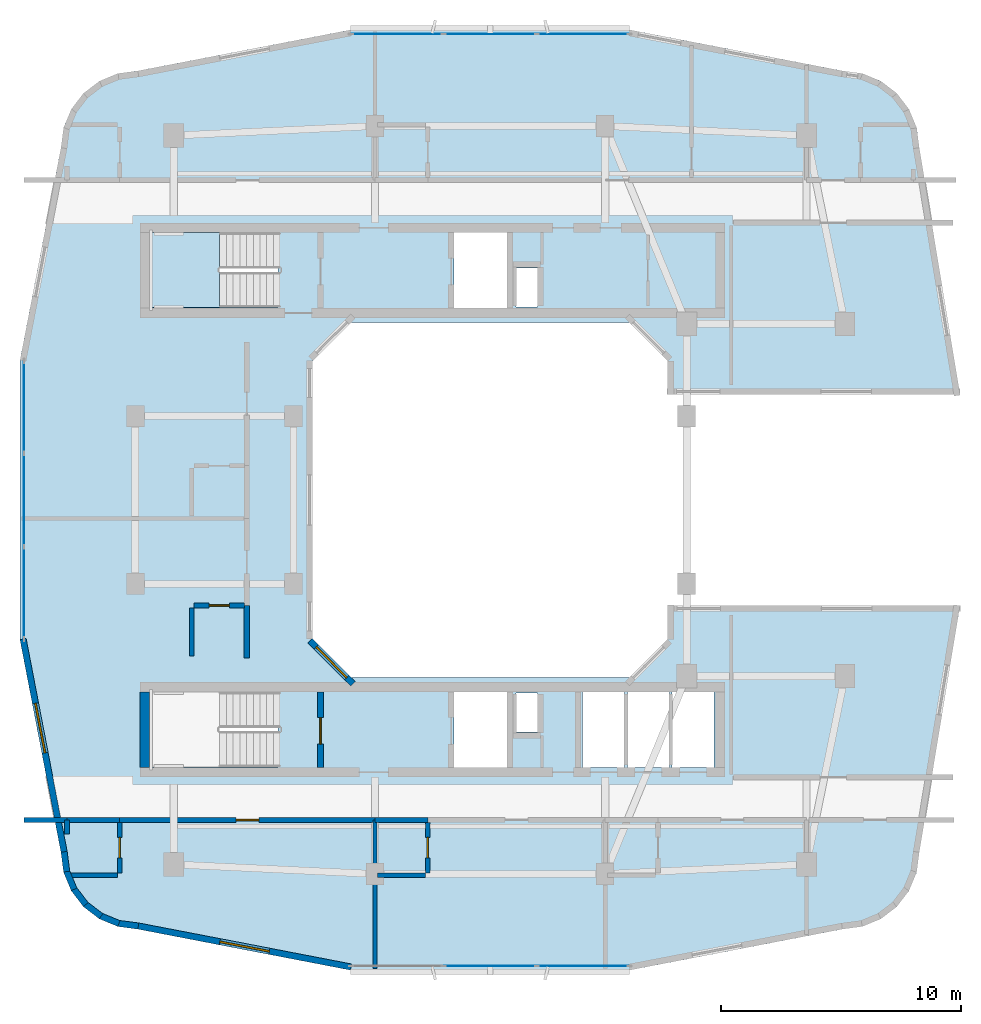
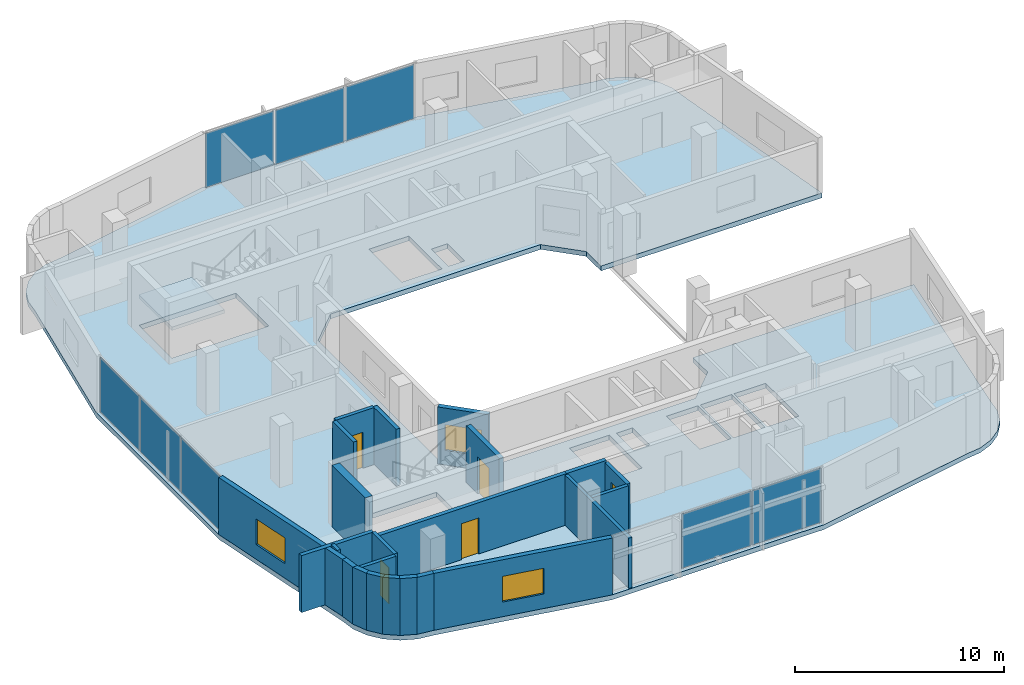
# One storey, part 4 of 12: 24 walls, 8 plates, 5 doors, 3 windows, 2 slabs, 8 openings, 4 elements without a shape of their own.
"""IFC4 building model written with IfcOpenShell, lengths in metres."""

from ifc_helpers import new_model, si_unit, derived_unit, direction, frame, frame_2d, origin, origin_2d, place, context, subcontext, project, spatial, polyline, rectangle, outline, extrude, material, layer, layer_set, type_object, element, fill, aggregate, save


model = new_model("IFC4")

# Units and contexts
model_context = context("Model", 3, precision=1e-05, world=origin(), true_north=direction((0.0, 1.0)))
body_context = subcontext(model_context, "Body", "Model", "MODEL_VIEW")
ifc_project = project(units=[si_unit("LENGTHUNIT", "METRE"), si_unit("AREAUNIT", "SQUARE_METRE"), si_unit("VOLUMEUNIT", "CUBIC_METRE"), si_unit("PLANEANGLEUNIT", "RADIAN"), si_unit("MASSUNIT", "GRAM", prefix="KILO"), derived_unit("THERMALTRANSMITTANCEUNIT", [(si_unit("POWERUNIT", "WATT"), 1), (si_unit("LENGTHUNIT", "METRE"), -2), (si_unit("THERMODYNAMICTEMPERATUREUNIT", "KELVIN"), -1)])], contexts=[model_context])

# Site, building, storey
site_placement = place(None, origin())
site = spatial("IfcSite", under=ifc_project, at=site_placement, CompositionType="ELEMENT")
building_placement = place(site_placement, origin())
building = spatial("IfcBuilding", under=site, at=building_placement, Name="Kivonza Crest Hotel", CompositionType="ELEMENT")
storey_placement = place(building_placement, frame((0.0, 0.0, 181.10009765625)))
storey = spatial("IfcBuildingStorey", under=building, at=storey_placement, Name="L49", CompositionType="ELEMENT", Elevation=181.10009765625)

# Curtain wall, plates
ifc_material_1 = material(Name="Anodised bronze aluminium and low-E double glazing", Category="aluminium")
ifc_layer_1 = layer(ifc_material_1, 0.179931640625)
ifc_layer_set_1 = layer_set([ifc_layer_1], Name="Anodised bronze aluminium and low-E double glazing")
curtain_wall_type = type_object("IfcCurtainWallType", Name="CW-SYS-3", PredefinedType="NOTDEFINED", material=ifc_layer_set_1)
curtain_wall_1_placement = place(storey_placement, origin())
curtain_wall_1 = element("IfcCurtainWall", 1, at=curtain_wall_1_placement, inside=storey, type_object=curtain_wall_type, Name="L49 unitised curtain wall CW-T1-L49-08", PredefinedType="NOTDEFINED")
ifc_material_2 = material(Name="Acoustic triple-laminated low-E glazing", Category="glass")
ifc_layer_2 = layer(ifc_material_2, 0.035888671875)
ifc_layer_set_2 = layer_set([ifc_layer_2], Name="Acoustic triple-laminated low-E glazing")
plate_type = type_object("IfcPlateType", Name="CW-PNL-36", PredefinedType="CURTAIN_PANEL", material=ifc_layer_set_2)
plate_1_placement = place(storey_placement, frame((21.0, 5.56005859375, 0.074951171875), z_axis=(0.0, 0.0, 1.0), x_axis=(1.0, 0.0, 0.0)))
plate_1 = element("IfcPlate", 2, at=plate_1_placement, type_object=plate_type, Name="CW-3 panel 2.1", PredefinedType="CURTAIN_PANEL", context=body_context, shape_type="SweptSolid", body=[
    extrude(rectangle(XDim=3.818359375, YDim=0.035888671875, at=origin_2d()), origin(), (0.0, 0.0, 1.0), 3.169921875),
])
plate_2_placement = place(storey_placement, frame((24.87451171875, 5.56005859375, 0.074951171875), z_axis=(0.0, 0.0, 1.0), x_axis=(1.0, 0.0, 0.0)))
plate_2 = element("IfcPlate", 3, at=plate_2_placement, type_object=plate_type, Name="CW-3 panel 3.1", PredefinedType="CURTAIN_PANEL", context=body_context, shape_type="SweptSolid", body=[
    extrude(rectangle(XDim=3.78076171875, YDim=0.035888671875, at=origin_2d()), origin(), (0.0, 0.0, 1.0), 3.169921875),
])
aggregate(curtain_wall_1, [plate_1, plate_2])

curtain_wall_2_placement = place(storey_placement, origin())
curtain_wall_2 = element("IfcCurtainWall", 4, at=curtain_wall_2_placement, inside=storey, type_object=curtain_wall_type, Name="L49 unitised curtain wall CW-T1-L49-36", PredefinedType="NOTDEFINED")
plate_3_placement = place(storey_placement, frame((24.87451171875, 44.43994140625, 0.074951171875), z_axis=(0.0, 0.0, 1.0), x_axis=(-1.0, 0.0, 0.0)))
plate_3 = element("IfcPlate", 5, at=plate_3_placement, type_object=plate_type, Name="CW-3 panel 1.1", PredefinedType="CURTAIN_PANEL", context=body_context, shape_type="SweptSolid", body=[
    extrude(rectangle(XDim=3.78076171875, YDim=0.035888671875, at=origin_2d()), origin(), (0.0, 0.0, 1.0), 3.169921875),
])
plate_4_placement = place(storey_placement, frame((21.0, 44.43994140625, 0.074951171875), z_axis=(0.0, 0.0, 1.0), x_axis=(-1.0, 0.0, 0.0)))
plate_4 = element("IfcPlate", 6, at=plate_4_placement, type_object=plate_type, Name="CW-3 panel 2.1", PredefinedType="CURTAIN_PANEL", context=body_context, shape_type="SweptSolid", body=[
    extrude(rectangle(XDim=3.818359375, YDim=0.035888671875, at=origin_2d()), origin(), (0.0, 0.0, 1.0), 3.169921875),
])
plate_5_placement = place(storey_placement, frame((17.12548828125, 44.43994140625, 0.074951171875), z_axis=(0.0, 0.0, 1.0), x_axis=(-1.0, 0.0, 0.0)))
plate_5 = element("IfcPlate", 7, at=plate_5_placement, type_object=plate_type, Name="CW-3 panel 3.1", PredefinedType="CURTAIN_PANEL", context=body_context, shape_type="SweptSolid", body=[
    extrude(rectangle(XDim=3.78076171875, YDim=0.035888671875, at=origin_2d()), origin(), (0.0, 0.0, 1.0), 3.169921875),
])
aggregate(curtain_wall_2, [plate_3, plate_4, plate_5])

curtain_wall_3_placement = place(storey_placement, origin())
curtain_wall_3 = element("IfcCurtainWall", 8, at=curtain_wall_3_placement, inside=storey, type_object=curtain_wall_type, Name="L49 unitised curtain wall CW-T1-L49-45", PredefinedType="NOTDEFINED")
plate_6_placement = place(storey_placement, frame((1.56005859375, 28.87451171875, 0.074951171875), z_axis=(0.0, 0.0, 1.0), x_axis=(0.0, -1.0, 0.0)))
plate_6 = element("IfcPlate", 9, at=plate_6_placement, type_object=plate_type, Name="CW-3 panel 1.1", PredefinedType="CURTAIN_PANEL", context=body_context, shape_type="SweptSolid", body=[
    extrude(rectangle(XDim=3.78076171875, YDim=0.035888671875, at=origin_2d()), origin(), (0.0, 0.0, 1.0), 3.169921875),
])
plate_7_placement = place(storey_placement, frame((1.56005859375, 25.0, 0.074951171875), z_axis=(0.0, 0.0, 1.0), x_axis=(0.0, -1.0, 0.0)))
plate_7 = element("IfcPlate", 10, at=plate_7_placement, type_object=plate_type, Name="CW-3 panel 2.1", PredefinedType="CURTAIN_PANEL", context=body_context, shape_type="SweptSolid", body=[
    extrude(rectangle(XDim=3.818359375, YDim=0.035888671875, at=origin_2d()), origin(), (0.0, 0.0, 1.0), 3.169921875),
])
plate_8_placement = place(storey_placement, frame((1.56005859375, 21.12548828125, 0.074951171875), z_axis=(0.0, 0.0, 1.0), x_axis=(0.0, -1.0, 0.0)))
plate_8 = element("IfcPlate", 11, at=plate_8_placement, type_object=plate_type, Name="CW-3 panel 3.1", PredefinedType="CURTAIN_PANEL", context=body_context, shape_type="SweptSolid", body=[
    extrude(rectangle(XDim=3.78076171875, YDim=0.035888671875, at=origin_2d()), origin(), (0.0, 0.0, 1.0), 3.169921875),
])
aggregate(curtain_wall_3, [plate_6, plate_7, plate_8])

# Slab
ifc_material_3 = material(Name="Concrete C40/50", Category="concrete")
ifc_layer_3 = layer(ifc_material_3, 0.280029296875)
ifc_layer_set_3 = layer_set([ifc_layer_3], Name="Concrete C40/50")
slab_type_1 = type_object("IfcSlabType", Name="SL-HTL-280", PredefinedType="FLOOR", material=ifc_layer_set_3)
slab_1_placement = place(storey_placement, frame((0.0, 0.0, -0.280029296875)))
element("IfcSlab", 12, at=slab_1_placement, inside=storey, type_object=slab_type_1, Name="Tower T1 L49 floor slab", PredefinedType="FLOOR", context=body_context, shape_type="SweptSolid", body=[
    extrude(outline(polyline([(3.10009765625, 10.300048828125), (3.208984375, 9.471923828125), (3.529052734375, 8.699951171875), (4.037109375, 8.037109375), (4.699951171875, 7.529052734375), (5.471923828125, 7.208984375), (6.300048828125, 7.10009765625), (15.1201171875, 5.39990234375), (26.8798828125, 5.39990234375), (35.699951171875, 7.10009765625), (36.528076171875, 7.208984375), (37.300048828125, 7.529052734375), (37.962890625, 8.037109375), (38.470947265625, 8.699951171875), (38.791015625, 9.471923828125), (38.89990234375, 10.300048828125), (40.60009765625, 20.60009765625), (28.39990234375, 20.60009765625), (28.39990234375, 19.199951171875), (26.800048828125, 17.60009765625), (15.199951171875, 17.60009765625), (13.60009765625, 19.199951171875), (13.60009765625, 30.800048828125), (15.199951171875, 32.39990234375), (26.800048828125, 32.39990234375), (28.39990234375, 30.800048828125), (28.39990234375, 29.39990234375), (40.60009765625, 29.39990234375), (38.89990234375, 39.699951171875), (38.791015625, 40.528076171875), (38.470947265625, 41.300048828125), (37.962890625, 41.962890625), (37.300048828125, 42.470947265625), (36.528076171875, 42.791015625), (35.699951171875, 42.89990234375), (26.8798828125, 44.60009765625), (15.1201171875, 44.60009765625), (6.300048828125, 42.89990234375), (5.471923828125, 42.791015625), (4.699951171875, 42.470947265625), (4.037109375, 41.962890625), (3.529052734375, 41.300048828125), (3.208984375, 40.528076171875), (3.10009765625, 39.699951171875), (1.39990234375, 30.8798828125), (1.39990234375, 19.1201171875), (3.10009765625, 10.300048828125)]), holes=[polyline([(6.800048828125, 33.02001953125), (12.159912109375, 33.02001953125), (12.159912109375, 36.159912109375), (6.800048828125, 36.159912109375), (6.800048828125, 33.02001953125)]), polyline([(6.800048828125, 13.860107421875), (12.159912109375, 13.860107421875), (12.159912109375, 17.0), (6.800048828125, 17.0), (6.800048828125, 13.860107421875)]), polyline([(22.080078125, 33.0400390625), (22.969970703125, 33.0400390625), (22.969970703125, 34.679931640625), (22.080078125, 34.679931640625), (22.080078125, 33.0400390625)]), polyline([(22.080078125, 15.320068359375), (22.969970703125, 15.320068359375), (22.969970703125, 16.9599609375), (22.080078125, 16.9599609375), (22.080078125, 15.320068359375)]), polyline([(19.5, 33.0), (21.699951171875, 33.0), (21.699951171875, 36.159912109375), (19.5, 36.159912109375), (19.5, 33.0)]), polyline([(19.5, 13.840087890625), (21.699951171875, 13.840087890625), (21.699951171875, 17.0), (19.5, 17.0), (19.5, 13.840087890625)]), polyline([(24.860107421875, 13.840087890625), (26.60693359375, 13.840087890625), (26.60693359375, 17.0), (24.860107421875, 17.0), (24.860107421875, 13.840087890625)]), polyline([(26.72705078125, 13.840087890625), (28.472900390625, 13.840087890625), (28.472900390625, 17.0), (26.72705078125, 17.0), (26.72705078125, 13.840087890625)]), polyline([(28.593017578125, 13.840087890625), (30.340087890625, 13.840087890625), (30.340087890625, 17.0), (28.593017578125, 17.0), (28.593017578125, 13.840087890625)])]), origin(), (0.0, 0.0, 1.0), 0.280029296875),
])

# Stair, slab
stair_type = type_object("IfcStairType", Name="ST-DL-20R", PredefinedType="HALF_TURN_STAIR", material=ifc_material_3)
stair_placement = place(storey_placement, origin())
stair = element("IfcStair", 13, at=stair_placement, inside=storey, type_object=stair_type, Name="L49 Protected Exit Stair ST-T1-N", PredefinedType="HALF_TURN_STAIR")
ifc_layer_4 = layer(ifc_material_3, 0.199951171875)
ifc_layer_set_4 = layer_set([ifc_layer_4], Name="Concrete C40/50")
slab_type_2 = type_object("IfcSlabType", Name="SL-LAND-200", PredefinedType="LANDING", material=ifc_layer_set_4)
slab_2_placement = place(storey_placement, frame((0.0, 0.0, 1.599853515625)))
slab_2 = element("IfcSlab", 14, at=slab_2_placement, type_object=slab_type_2, Name="ST-T1-N landing 1", PredefinedType="LANDING", context=body_context, shape_type="SweptSolid", body=[
    extrude(outline(polyline([(9.719970703125, 36.159912109375), (6.800048828125, 36.159912109375), (6.800048828125, 33.02001953125), (9.719970703125, 33.02001953125), (9.719970703125, 36.159912109375)])), origin(), (0.0, 0.0, 1.0), 0.199951171875),
])
aggregate(stair, [slab_2])

# Walls
ifc_material_4 = material(Name="High-density acoustic masonry inter-tenancy wall", Category="masonry")
ifc_layer_5 = layer(ifc_material_4, 0.179931640625)
ifc_layer_set_5 = layer_set([ifc_layer_5], Name="High-density acoustic masonry inter-tenancy wall")
wall_type_1 = type_object("IfcWallType", Name="WL-ACOU-180", PredefinedType="SOLIDWALL", material=ifc_layer_set_5)
wall_1_placement = place(storey_placement, frame((16.199951171875, 5.4599609375, 0.0), z_axis=(0.0, 0.0, 1.0), x_axis=(0.0, 1.0, 0.0)))
element("IfcWall", 15, at=wall_1_placement, inside=storey, type_object=wall_type_1, Name="L49 interior partition WA-L49-T1S-DIV1", PredefinedType="SOLIDWALL", context=body_context, shape_type="SweptSolid", body=[
    extrude(rectangle(XDim=6.18994140625, YDim=0.179931640625, at=frame_2d((3.094970703125, 0.0))), origin(), (0.0, 0.0, 1.0), 2.934814453125),
])
ifc_material_5 = material(Name="Autoclaved aerated concrete blockwork", Category="masonry")
ifc_layer_6 = layer(ifc_material_5, 0.219970703125)
ifc_layer_set_6 = layer_set([ifc_layer_6], Name="Autoclaved aerated concrete blockwork")
wall_type_2 = type_object("IfcWallType", Name="WL-ACOU-220", PredefinedType="SOLIDWALL", material=ifc_layer_set_6)
wall_2_placement = place(storey_placement, frame((1.56005859375, 11.64990234375, 0.0), z_axis=(0.0, 0.0, 1.0), x_axis=(1.0, 0.0, 0.0)))
element("IfcWall", 16, at=wall_2_placement, inside=storey, type_object=wall_type_2, Name="L49 interior partition WA-L49-S04-XCORR", PredefinedType="SOLIDWALL", context=body_context, shape_type="SweptSolid", body=[
    extrude(rectangle(XDim=1.7900390625, YDim=0.219970703125, at=frame_2d((0.89501953125, 0.0))), origin(), (0.0, 0.0, 1.0), 3.31982421875),
])
wall_3_placement = place(storey_placement, frame((3.35009765625, 11.64990234375, 0.0), z_axis=(0.0, 0.0, 1.0), x_axis=(1.0, 0.0, 0.0)))
element("IfcWall", 17, at=wall_3_placement, inside=storey, type_object=wall_type_2, Name="L49 interior partition WA-L49-S04-BCORR", PredefinedType="SOLIDWALL", context=body_context, shape_type="SweptSolid", body=[
    extrude(rectangle(XDim=2.199951171875, YDim=0.219970703125, at=frame_2d((1.10009765625, 0.0))), origin(), (0.0, 0.0, 1.0), 3.31982421875),
])

# Wall, opening, door
wall_4_placement = place(storey_placement, frame((5.550048828125, 11.64990234375, 0.0), z_axis=(0.0, 0.0, 1.0), x_axis=(1.0, 0.0, 0.0)))
wall_4 = element("IfcWall", 18, at=wall_4_placement, inside=storey, type_object=wall_type_2, Name="L49 interior partition WA-L49-S04-MCORR", PredefinedType="SOLIDWALL", context=body_context, shape_type="SweptSolid", body=[
    extrude(rectangle(XDim=10.64990234375, YDim=0.219970703125, at=frame_2d((5.324951171875, 0.0))), origin(), (0.0, 0.0, 1.0), 2.994873046875),
])
opening_1_placement = place(wall_4_placement, frame((4.85009765625, 0.0, 0.0)))
opening_1 = element("IfcOpeningElement", 19, at=opening_1_placement, cuts=wall_4, Name="Opening DU-60", PredefinedType="OPENING", context=body_context, shape_type="SweptSolid", body=[
    extrude(rectangle(XDim=0.949951171875, YDim=2.10009765625, at=frame_2d((0.47509765625, 1.050048828125))), frame((0.0, 0.1201171875, 0.0), z_axis=(0.0, -1.0, 0.0), x_axis=(1.0, 0.0, 0.0)), (0.0, 0.0, 1.0), 0.239990234375),
])
ifc_material_6 = material(Name="Hardwood timber oak", Category="wood")
door_type_1 = type_object("IfcDoorType", Name="DR-UNIT-950", OperationType="NOTDEFINED", PredefinedType="DOOR", material=ifc_material_6)
door_1_placement = place(opening_1_placement, frame((0.949951171875, 0.0, 0.0), z_axis=(0.0, 0.0, 1.0), x_axis=(-1.0, 0.0, 0.0)))
door_1 = element("IfcDoor", 20, at=door_1_placement, inside=storey, type_object=door_type_1, Name="L49 S04 guest unit entrance fire door", OperationType="SINGLE_SWING_RIGHT", OverallHeight=2.10009765625, OverallWidth=0.949951171875, PredefinedType="DOOR", context=body_context, shape_type="SweptSolid", body=[
    extrude(rectangle(XDim=0.949951171875, YDim=2.10009765625, at=frame_2d((0.47509765625, 1.050048828125))), frame((0.0, 0.02490234375, 0.0), z_axis=(0.0, -1.0, 0.0), x_axis=(1.0, 0.0, 0.0)), (0.0, 0.0, 1.0), 0.050048828125),
])
fill(opening_1, door_1)

# Walls
wall_5_placement = place(storey_placement, frame((16.199951171875, 11.64990234375, 0.0), z_axis=(0.0, 0.0, 1.0), x_axis=(1.0, 0.0, 0.0)))
element("IfcWall", 21, at=wall_5_placement, inside=storey, type_object=wall_type_2, Name="L49 interior partition WA-L49-S05-BCORR", PredefinedType="SOLIDWALL", context=body_context, shape_type="SweptSolid", body=[
    extrude(rectangle(XDim=2.199951171875, YDim=0.219970703125, at=frame_2d((1.10009765625, 0.0))), origin(), (0.0, 0.0, 1.0), 2.994873046875),
])
wall_6_placement = place(storey_placement, frame((10.85009765625, 18.39990234375, 0.0), z_axis=(0.0, 0.0, 1.0), x_axis=(0.0, 1.0, 0.0)))
element("IfcWall", 22, at=wall_6_placement, inside=storey, type_object=wall_type_2, Name="L49 interior partition WA-L49-W07-BCORR", PredefinedType="SOLIDWALL", context=body_context, shape_type="SweptSolid", body=[
    extrude(rectangle(XDim=2.2001953125, YDim=0.219970703125, at=frame_2d((1.10009765625, 0.0))), origin(), (0.0, 0.0, 1.0), 3.31982421875),
])
ifc_material_7 = material(Name="Concrete C50/60", Category="concrete")
ifc_layer_7 = layer(ifc_material_7, 0.39990234375)
ifc_layer_set_7 = layer_set([ifc_layer_7], Name="Concrete C50/60")
wall_type_3 = type_object("IfcWallType", Name="WL-CORE-400", PredefinedType="SHEAR", material=ifc_layer_set_7)
wall_7_placement = place(storey_placement, frame((6.60009765625, 13.840087890625, 0.0), z_axis=(0.0, 0.0, 1.0), x_axis=(0.0, 1.0, 0.0)))
element("IfcWall", 23, at=wall_7_placement, inside=storey, type_object=wall_type_3, Name="Core wall T1-S West L49", PredefinedType="SHEAR", context=body_context, shape_type="SweptSolid", body=[
    extrude(rectangle(XDim=3.159912109375, YDim=0.39990234375, at=frame_2d((1.580078125, 0.0))), origin(), (0.0, 0.0, 1.0), 3.599853515625),
])
ifc_material_8 = material(Name="Precast concrete C40/50", Category="concrete")
ifc_layer_8 = layer(ifc_material_8, 0.260009765625)
ifc_layer_set_8 = layer_set([ifc_layer_8], Name="Precast concrete C40/50")
wall_type_4 = type_object("IfcWallType", Name="WL-EXT-260", PredefinedType="STANDARD", material=ifc_layer_set_8)
wall_8_placement = place(storey_placement, frame((3.22802734375, 10.324951171875, 0.0), z_axis=(0.0, 0.0, 1.0), x_axis=(0.130704676564, -0.99142134712, 0.0)))
element("IfcWall", 24, at=wall_8_placement, inside=storey, type_object=wall_type_4, Name="L49 T1 exterior insulated wall 1", PredefinedType="STANDARD", context=body_context, shape_type="SweptSolid", body=[
    extrude(rectangle(XDim=0.8330078125, YDim=0.260009765625, at=frame_2d((0.41650390625, 0.0))), origin(), (0.0, 0.0, 1.0), 3.31982421875),
])
wall_9_placement = place(storey_placement, frame((3.319091796875, 9.544921875, 0.0), z_axis=(0.0, 0.0, 1.0), x_axis=(0.383086687796, -0.923712395518, 0.0)))
element("IfcWall", 25, at=wall_9_placement, inside=storey, type_object=wall_type_4, Name="L49 T1 exterior insulated wall 2", PredefinedType="STANDARD", context=body_context, shape_type="SweptSolid", body=[
    extrude(rectangle(XDim=0.850830078125, YDim=0.260009765625, at=frame_2d((0.42529296875, 0.0))), origin(), (0.0, 0.0, 1.0), 3.31982421875),
])
for number, where, z_axis, x_axis, name in (
    (26, (3.616943359375, 8.799072265625, 0.0), (0.0, 0.0, 1.0), (0.608099977432, -0.793860452124, 0.0), "L49 T1 exterior insulated wall 3"),
    (27, (4.095947265625, 8.155029296875, 0.0), (0.0, 0.0, 1.0), (0.793860452124, -0.608099977432, 0.0), "L49 T1 exterior insulated wall 4"),
):
    element("IfcWall", number, at=place(storey_placement, frame(where, z_axis=z_axis, x_axis=x_axis)), inside=storey, type_object=wall_type_4, Name=name, PredefinedType="STANDARD", context=body_context, shape_type="SweptSolid", body=[
        extrude(rectangle(XDim=0.850341796875, YDim=0.260009765625, at=frame_2d((0.42529296875, 0.0))), origin(), (0.0, 0.0, 1.0), 3.31982421875),
    ])
wall_10_placement = place(storey_placement, frame((4.72705078125, 7.658935546875, 0.0), z_axis=(0.0, 0.0, 1.0), x_axis=(0.923712395518, -0.383086687796, 0.0)))
element("IfcWall", 28, at=wall_10_placement, inside=storey, type_object=wall_type_4, Name="L49 T1 exterior insulated wall 5", PredefinedType="STANDARD", context=body_context, shape_type="SweptSolid", body=[
    extrude(rectangle(XDim=0.850830078125, YDim=0.260009765625, at=frame_2d((0.42529296875, 0.0))), origin(), (0.0, 0.0, 1.0), 3.31982421875),
])
wall_11_placement = place(storey_placement, frame((5.464111328125, 7.341064453125, 0.0), z_axis=(0.0, 0.0, 1.0), x_axis=(0.991488716273, -0.130192647656, 0.0)))
element("IfcWall", 29, at=wall_11_placement, inside=storey, type_object=wall_type_4, Name="L49 T1 exterior insulated wall 6", PredefinedType="STANDARD", context=body_context, shape_type="SweptSolid", body=[
    extrude(rectangle(XDim=0.8681640625, YDim=0.260009765625, at=frame_2d((0.43408203125, 0.0))), origin(), (0.0, 0.0, 1.0), 3.31982421875),
])

# Wall, opening, window
wall_12_placement = place(storey_placement, frame((6.31689453125, 7.22998046875, 0.0), z_axis=(0.0, 0.0, 1.0), x_axis=(0.98192801022, -0.189254809039, 0.0)))
wall_12 = element("IfcWall", 30, at=wall_12_placement, inside=storey, type_object=wall_type_4, Name="L49 T1 exterior insulated wall 7", PredefinedType="STANDARD", context=body_context, shape_type="SweptSolid", body=[
    extrude(rectangle(XDim=9.045654296875, YDim=0.260009765625, at=frame_2d((4.52294921875, 0.0))), origin(), (0.0, 0.0, 1.0), 3.31982421875),
])
opening_2_placement = place(wall_12_placement, frame((3.472900390625, 0.0, 0.85009765625)))
opening_2 = element("IfcOpeningElement", 31, at=opening_2_placement, cuts=wall_12, Name="Opening WN-04", PredefinedType="OPENING", context=body_context, shape_type="SweptSolid", body=[
    extrude(rectangle(XDim=2.10009765625, YDim=1.5, at=frame_2d((1.050048828125, 0.75))), frame((0.0, 0.14013671875, 0.0), z_axis=(0.0, -1.0, 0.0), x_axis=(1.0, 0.0, 0.0)), (0.0, 0.0, 1.0), 0.280029296875),
])
ifc_material_9 = material(Name="Thermally broken bronze aluminium and low-E double glazing", Category="aluminium")
window_type_1 = type_object("IfcWindowType", Name="WN-210x150", PartitioningType="DOUBLE_PANEL_VERTICAL", PredefinedType="WINDOW", material=ifc_material_9)
window_1_placement = place(opening_2_placement, origin())
window_1 = element("IfcWindow", 32, at=window_1_placement, inside=storey, type_object=window_type_1, Name="L49 T1 facade window 7", OverallHeight=1.5, OverallWidth=2.10009765625, PartitioningType="SINGLE_PANEL", PredefinedType="WINDOW", context=body_context, shape_type="SweptSolid", body=[
    extrude(rectangle(XDim=2.10009765625, YDim=1.5, at=frame_2d((1.050048828125, 0.75))), frame((0.0, 0.030029296875, 0.0), z_axis=(0.0, -1.0, 0.0), x_axis=(1.0, 0.0, 0.0)), (0.0, 0.0, 1.0), 0.06005859375),
])
fill(opening_2, window_1)

wall_13_placement = place(storey_placement, frame((15.278076171875, 17.337890625, 0.0), z_axis=(0.0, 0.0, 1.0), x_axis=(-0.707106781187, 0.707106781187, 0.0)))
wall_13 = element("IfcWall", 33, at=wall_13_placement, inside=storey, type_object=wall_type_4, Name="L49 T1 exterior insulated wall 21", PredefinedType="STANDARD", context=body_context, shape_type="SweptSolid", body=[
    extrude(rectangle(XDim=2.52880859375, YDim=0.260009765625, at=frame_2d((1.264404296875, 0.0))), origin(), (0.0, 0.0, 1.0), 3.31982421875),
])
opening_3_placement = place(wall_13_placement, frame((0.364013671875, 0.0, 0.85009765625)))
opening_3 = element("IfcOpeningElement", 34, at=opening_3_placement, cuts=wall_13, Name="Opening WN-03", PredefinedType="OPENING", context=body_context, shape_type="SweptSolid", body=[
    extrude(rectangle(XDim=1.800048828125, YDim=1.5, at=frame_2d((0.89990234375, 0.75))), frame((0.0, 0.14013671875, 0.0), z_axis=(0.0, -1.0, 0.0), x_axis=(1.0, 0.0, 0.0)), (0.0, 0.0, 1.0), 0.280029296875),
])
window_type_2 = type_object("IfcWindowType", Name="WN-180x150", PartitioningType="DOUBLE_PANEL_VERTICAL", PredefinedType="WINDOW", material=ifc_material_9)
window_2_placement = place(opening_3_placement, origin())
window_2 = element("IfcWindow", 35, at=window_2_placement, inside=storey, type_object=window_type_2, Name="L49 T1 facade window 21", OverallHeight=1.5, OverallWidth=1.800048828125, PartitioningType="SINGLE_PANEL", PredefinedType="WINDOW", context=body_context, shape_type="SweptSolid", body=[
    extrude(rectangle(XDim=1.800048828125, YDim=1.5, at=frame_2d((0.89990234375, 0.75))), frame((0.0, 0.030029296875, 0.0), z_axis=(0.0, -1.0, 0.0), x_axis=(1.0, 0.0, 0.0)), (0.0, 0.0, 1.0), 0.06005859375),
])
fill(opening_3, window_2)

wall_14_placement = place(storey_placement, frame((1.51806640625, 19.198974609375, 0.0), z_axis=(0.0, 0.0, 1.0), x_axis=(0.189254809039, -0.98192801022, 0.0)))
wall_14 = element("IfcWall", 36, at=wall_14_placement, inside=storey, type_object=wall_type_4, Name="L49 T1 exterior insulated wall 46", PredefinedType="STANDARD", context=body_context, shape_type="SweptSolid", body=[
    extrude(rectangle(XDim=9.045654296875, YDim=0.260009765625, at=frame_2d((4.52294921875, 0.0))), origin(), (0.0, 0.0, 1.0), 3.31982421875),
])
opening_4_placement = place(wall_14_placement, frame((2.73291015625, 0.0, 0.85009765625)))
opening_4 = element("IfcOpeningElement", 37, at=opening_4_placement, cuts=wall_14, Name="Opening WN-04", PredefinedType="OPENING", context=body_context, shape_type="SweptSolid", body=[
    extrude(rectangle(XDim=2.10009765625, YDim=1.5, at=frame_2d((1.050048828125, 0.75))), frame((0.0, 0.14013671875, 0.0), z_axis=(0.0, -1.0, 0.0), x_axis=(1.0, 0.0, 0.0)), (0.0, 0.0, 1.0), 0.280029296875),
])
window_3_placement = place(opening_4_placement, origin())
window_3 = element("IfcWindow", 38, at=window_3_placement, inside=storey, type_object=window_type_1, Name="L49 T1 facade window 46", OverallHeight=1.5, OverallWidth=2.10009765625, PartitioningType="SINGLE_PANEL", PredefinedType="WINDOW", context=body_context, shape_type="SweptSolid", body=[
    extrude(rectangle(XDim=2.10009765625, YDim=1.5, at=frame_2d((1.050048828125, 0.75))), frame((0.0, 0.030029296875, 0.0), z_axis=(0.0, -1.0, 0.0), x_axis=(1.0, 0.0, 0.0)), (0.0, 0.0, 1.0), 0.06005859375),
])
fill(opening_4, window_3)

# Wall, opening, door
ifc_material_10 = material(Name="Moisture-resistant plumbing chase partition wall", Category="gypsum")
ifc_layer_9 = layer(ifc_material_10, 0.199951171875)
ifc_layer_set_9 = layer_set([ifc_layer_9], Name="Moisture-resistant plumbing chase partition wall")
wall_type_5 = type_object("IfcWallType", Name="WL-PLUMB-200", PredefinedType="PLUMBINGWALL", material=ifc_layer_set_9)
wall_15_placement = place(storey_placement, frame((5.550048828125, 9.449951171875, 0.0), z_axis=(0.0, 0.0, 1.0), x_axis=(0.0, 1.0, 0.0)))
wall_15 = element("IfcWall", 39, at=wall_15_placement, inside=storey, type_object=wall_type_5, Name="L49 interior partition WW-L49-S04-BV", PredefinedType="PLUMBINGWALL", context=body_context, shape_type="SweptSolid", body=[
    extrude(rectangle(XDim=2.10009765625, YDim=0.199951171875, at=frame_2d((1.050048828125, 0.0))), origin(), (0.0, 0.0, 1.0), 3.31982421875),
])
opening_5_placement = place(wall_15_placement, frame((0.625, 0.0, 0.0)))
opening_5 = element("IfcOpeningElement", 40, at=opening_5_placement, cuts=wall_15, Name="Opening DI-85", PredefinedType="OPENING", context=body_context, shape_type="SweptSolid", body=[
    extrude(rectangle(XDim=0.85009765625, YDim=2.10009765625, at=frame_2d((0.425048828125, 1.050048828125))), frame((0.0, 0.10986328125, 0.0), z_axis=(0.0, -1.0, 0.0), x_axis=(1.0, 0.0, 0.0)), (0.0, 0.0, 1.0), 0.219970703125),
])
door_type_2 = type_object("IfcDoorType", Name="DR-INT-850", OperationType="NOTDEFINED", PredefinedType="DOOR", material=ifc_material_6)
door_2_placement = place(opening_5_placement, frame((0.85009765625, 0.0, 0.0), z_axis=(0.0, 0.0, 1.0), x_axis=(-1.0, 0.0, 0.0)))
door_2 = element("IfcDoor", 41, at=door_2_placement, inside=storey, type_object=door_type_2, Name="L49 S04 en-suite bathroom door", OperationType="SINGLE_SWING_LEFT", OverallHeight=2.10009765625, OverallWidth=0.85009765625, PredefinedType="DOOR", context=body_context, shape_type="SweptSolid", body=[
    extrude(rectangle(XDim=0.85009765625, YDim=2.10009765625, at=frame_2d((0.425048828125, 1.050048828125))), frame((0.0, 0.02490234375, 0.0), z_axis=(0.0, -1.0, 0.0), x_axis=(1.0, 0.0, 0.0)), (0.0, 0.0, 1.0), 0.050048828125),
])
fill(opening_5, door_2)

# Walls
wall_16_placement = place(storey_placement, frame((3.449951171875, 9.35009765625, 0.0), z_axis=(0.0, 0.0, 1.0), x_axis=(1.0, 0.0, 0.0)))
element("IfcWall", 42, at=wall_16_placement, inside=storey, type_object=wall_type_5, Name="L49 interior partition WW-L49-S04-BH", PredefinedType="PLUMBINGWALL", context=body_context, shape_type="SweptSolid", body=[
    extrude(rectangle(XDim=2.0, YDim=0.199951171875, at=frame_2d((1.0, 0.0))), origin(), (0.0, 0.0, 1.0), 3.31982421875),
])
wall_17_placement = place(storey_placement, frame((3.35009765625, 11.072998046875, 0.0), z_axis=(0.0, 0.0, 1.0), x_axis=(0.0, 1.0, 0.0)))
element("IfcWall", 43, at=wall_17_placement, inside=storey, type_object=wall_type_5, Name="L49 interior partition WW-L49-S04-BVW", PredefinedType="PLUMBINGWALL", context=body_context, shape_type="SweptSolid", body=[
    extrude(rectangle(XDim=0.576904296875, YDim=0.199951171875, at=frame_2d((0.28857421875, 0.0))), origin(), (0.0, 0.0, 1.0), 3.31982421875),
])

# Wall, opening, door
wall_18_placement = place(storey_placement, frame((18.39990234375, 9.449951171875, 0.0), z_axis=(0.0, 0.0, 1.0), x_axis=(0.0, 1.0, 0.0)))
wall_18 = element("IfcWall", 44, at=wall_18_placement, inside=storey, type_object=wall_type_5, Name="L49 interior partition WW-L49-S05-BV", PredefinedType="PLUMBINGWALL", context=body_context, shape_type="SweptSolid", body=[
    extrude(rectangle(XDim=2.10009765625, YDim=0.199951171875, at=frame_2d((1.050048828125, 0.0))), origin(), (0.0, 0.0, 1.0), 2.89501953125),
])
opening_6_placement = place(wall_18_placement, frame((0.625, 0.0, 0.0)))
opening_6 = element("IfcOpeningElement", 45, at=opening_6_placement, cuts=wall_18, Name="Opening DI-85", PredefinedType="OPENING", context=body_context, shape_type="SweptSolid", body=[
    extrude(rectangle(XDim=0.85009765625, YDim=2.10009765625, at=frame_2d((0.425048828125, 1.050048828125))), frame((0.0, 0.10986328125, 0.0), z_axis=(0.0, -1.0, 0.0), x_axis=(1.0, 0.0, 0.0)), (0.0, 0.0, 1.0), 0.219970703125),
])
door_3_placement = place(opening_6_placement, frame((0.85009765625, 0.0, 0.0), z_axis=(0.0, 0.0, 1.0), x_axis=(-1.0, 0.0, 0.0)))
door_3 = element("IfcDoor", 46, at=door_3_placement, inside=storey, type_object=door_type_2, Name="L49 S05 en-suite bathroom door", OperationType="SINGLE_SWING_RIGHT", OverallHeight=2.10009765625, OverallWidth=0.85009765625, PredefinedType="DOOR", context=body_context, shape_type="SweptSolid", body=[
    extrude(rectangle(XDim=0.85009765625, YDim=2.10009765625, at=frame_2d((0.425048828125, 1.050048828125))), frame((0.0, 0.02490234375, 0.0), z_axis=(0.0, -1.0, 0.0), x_axis=(1.0, 0.0, 0.0)), (0.0, 0.0, 1.0), 0.050048828125),
])
fill(opening_6, door_3)

# Wall
wall_19_placement = place(storey_placement, frame((16.300048828125, 9.35009765625, 0.0), z_axis=(0.0, 0.0, 1.0), x_axis=(1.0, 0.0, 0.0)))
element("IfcWall", 47, at=wall_19_placement, inside=storey, type_object=wall_type_5, Name="L49 interior partition WW-L49-S05-BH", PredefinedType="PLUMBINGWALL", context=body_context, shape_type="SweptSolid", body=[
    extrude(rectangle(XDim=2.0, YDim=0.199951171875, at=frame_2d((1.0, 0.0))), origin(), (0.0, 0.0, 1.0), 2.934814453125),
])

# Wall, opening, door
wall_20_placement = place(storey_placement, frame((8.64990234375, 20.60009765625, 0.0), z_axis=(0.0, 0.0, 1.0), x_axis=(1.0, 0.0, 0.0)))
wall_20 = element("IfcWall", 48, at=wall_20_placement, inside=storey, type_object=wall_type_5, Name="L49 interior partition WW-L49-W07-BH", PredefinedType="PLUMBINGWALL", context=body_context, shape_type="SweptSolid", body=[
    extrude(rectangle(XDim=2.10009765625, YDim=0.199951171875, at=frame_2d((1.050048828125, 0.0))), origin(), (0.0, 0.0, 1.0), 3.31982421875),
])
opening_7_placement = place(wall_20_placement, frame((0.625, 0.0, 0.0)))
opening_7 = element("IfcOpeningElement", 49, at=opening_7_placement, cuts=wall_20, Name="Opening DI-85", PredefinedType="OPENING", context=body_context, shape_type="SweptSolid", body=[
    extrude(rectangle(XDim=0.85009765625, YDim=2.10009765625, at=frame_2d((0.425048828125, 1.050048828125))), frame((0.0, 0.10986328125, 0.0), z_axis=(0.0, -1.0, 0.0), x_axis=(1.0, 0.0, 0.0)), (0.0, 0.0, 1.0), 0.219970703125),
])
door_4_placement = place(opening_7_placement, origin())
door_4 = element("IfcDoor", 50, at=door_4_placement, inside=storey, type_object=door_type_2, Name="L49 W07 en-suite bathroom door", OperationType="SINGLE_SWING_RIGHT", OverallHeight=2.10009765625, OverallWidth=0.85009765625, PredefinedType="DOOR", context=body_context, shape_type="SweptSolid", body=[
    extrude(rectangle(XDim=0.85009765625, YDim=2.10009765625, at=frame_2d((0.425048828125, 1.050048828125))), frame((0.0, 0.02490234375, 0.0), z_axis=(0.0, -1.0, 0.0), x_axis=(1.0, 0.0, 0.0)), (0.0, 0.0, 1.0), 0.050048828125),
])
fill(opening_7, door_4)

# Wall
wall_21_placement = place(storey_placement, frame((8.550048828125, 18.5, 0.0), z_axis=(0.0, 0.0, 1.0), x_axis=(0.0, 1.0, 0.0)))
element("IfcWall", 51, at=wall_21_placement, inside=storey, type_object=wall_type_5, Name="L49 interior partition WW-L49-W07-BV", PredefinedType="PLUMBINGWALL", context=body_context, shape_type="SweptSolid", body=[
    extrude(rectangle(XDim=2.0, YDim=0.199951171875, at=frame_2d((1.0, 0.0))), origin(), (0.0, 0.0, 1.0), 3.31982421875),
])

# Wall, opening, door
ifc_layer_10 = layer(ifc_material_7, 0.25)
ifc_layer_set_10 = layer_set([ifc_layer_10], Name="Concrete C50/60")
wall_type_6 = type_object("IfcWallType", Name="WL-SHAFT-250", PredefinedType="STANDARD", material=ifc_layer_set_10)
wall_22_placement = place(storey_placement, frame((13.925048828125, 13.840087890625, 0.0), z_axis=(0.0, 0.0, 1.0), x_axis=(0.0, 1.0, 0.0)))
wall_22 = element("IfcWall", 52, at=wall_22_placement, inside=storey, type_object=wall_type_6, Name="Core shaft wall T1-S STAIR L49", PredefinedType="STANDARD", context=body_context, shape_type="SweptSolid", body=[
    extrude(rectangle(XDim=3.159912109375, YDim=0.25, at=frame_2d((1.580078125, 0.0))), origin(), (0.0, 0.0, 1.0), 3.31982421875),
])
opening_8_placement = place(wall_22_placement, frame((0.97998046875, 0.0, 0.0)))
opening_8 = element("IfcOpeningElement", 53, at=opening_8_placement, cuts=wall_22, Name="Opening DF-120", PredefinedType="OPENING", context=body_context, shape_type="SweptSolid", body=[
    extrude(rectangle(XDim=1.10009765625, YDim=2.14990234375, at=frame_2d((0.550048828125, 1.074951171875))), frame((0.0, 0.135009765625, 0.0), z_axis=(0.0, -1.0, 0.0), x_axis=(1.0, 0.0, 0.0)), (0.0, 0.0, 1.0), 0.27001953125),
])
ifc_material_11 = material(Name="Galvanised steel", Category="steel")
door_type_3 = type_object("IfcDoorType", Name="DR-FD120-1100", OperationType="NOTDEFINED", PredefinedType="DOOR", material=ifc_material_11)
door_5_placement = place(opening_8_placement, frame((1.10009765625, 0.0, 0.0), z_axis=(0.0, 0.0, 1.0), x_axis=(-1.0, 0.0, 0.0)))
door_5 = element("IfcDoor", 54, at=door_5_placement, inside=storey, type_object=door_type_3, Name="L49 T1-S stair fire door", OperationType="SINGLE_SWING_RIGHT", OverallHeight=2.14990234375, OverallWidth=1.10009765625, PredefinedType="DOOR", context=body_context, shape_type="SweptSolid", body=[
    extrude(rectangle(XDim=1.10009765625, YDim=2.14990234375, at=frame_2d((0.550048828125, 1.074951171875))), frame((0.0, 0.02490234375, 0.0), z_axis=(0.0, -1.0, 0.0), x_axis=(1.0, 0.0, 0.0)), (0.0, 0.0, 1.0), 0.050048828125),
])
fill(opening_8, door_5)

save(model, "model.ifc")
